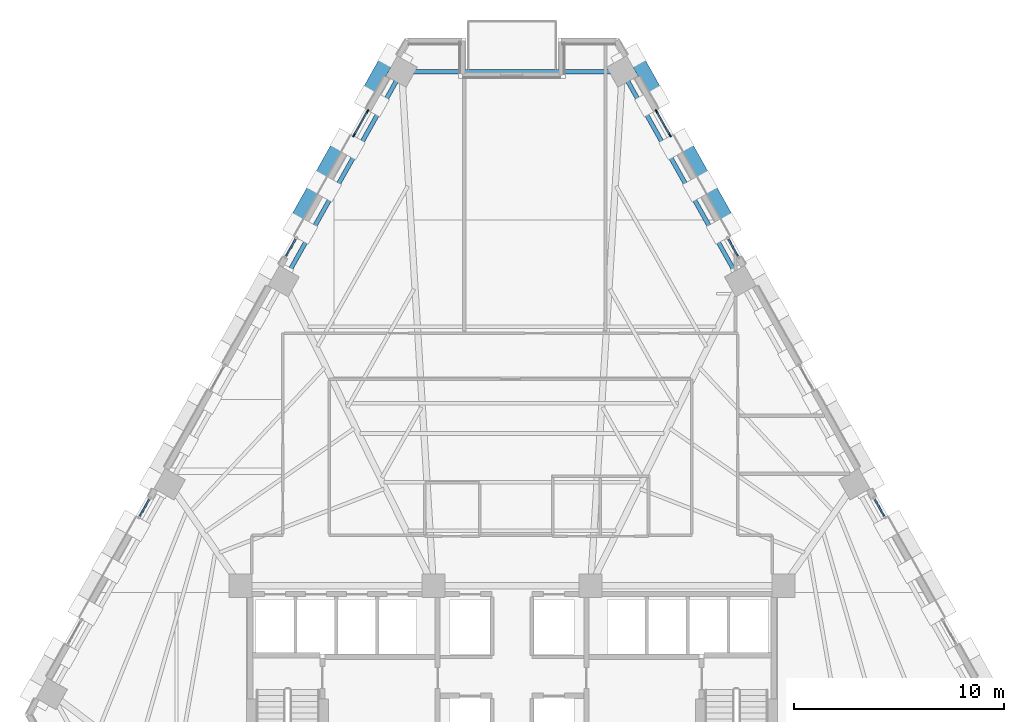
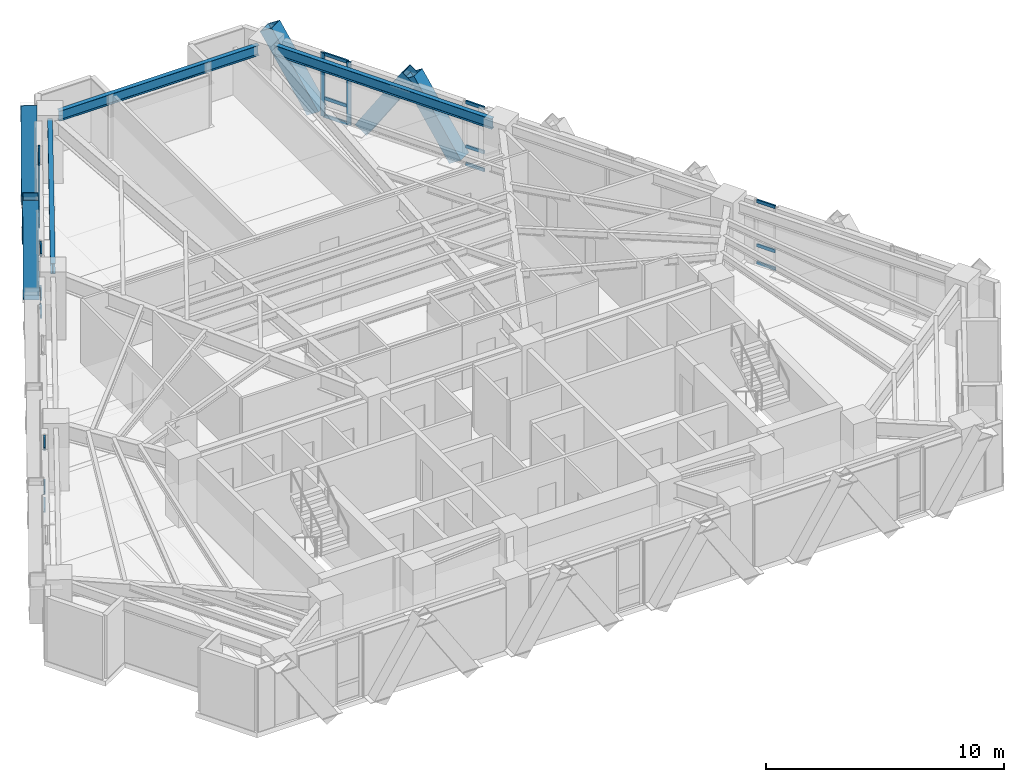
# One storey, part 5 of 13: 28 members, 3 beams, 6 elements without a shape of their own.
"""IFC4 building model written with IfcOpenShell, lengths in metres."""

from ifc_helpers import new_model, si_unit, direction, frame, origin, origin_2d, place, context, subcontext, project, spatial, rectangle, hollow_rectangle, i_section, extrude, material, material_profile, profile_set, type_object, element, aggregate, save


model = new_model("IFC4")

# Units and contexts
model_context = context("Model", 3, precision=1e-05, world=origin(), true_north=direction((0.0, 1.0)))
body_context = subcontext(model_context, "Body", "Model", "MODEL_VIEW")
ifc_project = project(units=[si_unit("LENGTHUNIT", "METRE"), si_unit("AREAUNIT", "SQUARE_METRE"), si_unit("VOLUMEUNIT", "CUBIC_METRE"), si_unit("PLANEANGLEUNIT", "RADIAN"), si_unit("MASSUNIT", "GRAM", prefix="KILO")], contexts=[model_context])

# Site, building, storey
site_placement = place(None, origin())
site = spatial("IfcSite", under=ifc_project, at=site_placement, CompositionType="ELEMENT")
building_placement = place(site_placement, origin())
building = spatial("IfcBuilding", under=site, at=building_placement, Name="Quenlor Broadcast Tower", CompositionType="ELEMENT")
storey_placement = place(building_placement, frame((0.0, 0.0, 95.0)))
storey = spatial("IfcBuildingStorey", under=building, at=storey_placement, Name="L25", CompositionType="ELEMENT", Elevation=95.0)

# Curtain wall, members
ifc_material_1 = material(Name="Architectural Terracotta and Low-E Glazing", Category="masonry")
curtain_wall_type = type_object("IfcCurtainWallType", Name="Unitised Terracotta Curtain Wall System Z2", PredefinedType="NOTDEFINED", material=ifc_material_1)
curtain_wall_1_placement = place(storey_placement, origin())
curtain_wall_1 = element("IfcCurtainWall", 1, at=curtain_wall_1_placement, inside=storey, type_object=curtain_wall_type, Name="L25 Curtain Wall CW2 (L25-NEA-G1)", PredefinedType="NOTDEFINED")
ifc_material_2 = material(Name="Aluminium 6063-T6", Category="aluminium")
ifc_material_profile_1 = material_profile(ifc_material_2, rectangle(XDim=0.074951171875, YDim=0.199951171875, at=origin_2d()))
ifc_profile_set_1 = profile_set([ifc_material_profile_1], Name="Aluminium 6063-T6 MULL75x200")
member_type_1 = type_object("IfcMemberType", Name="CW2 Aluminium Mullion MULL_CW2", PredefinedType="MULLION", material=ifc_profile_set_1)
member_1_placement = place(storey_placement, frame((6.893310546875, 17.81884765625, 0.0), z_axis=(0.0, 0.0, 1.0), x_axis=(0.871583366376, 0.490247320704, 0.0)))
member_1 = element("IfcMember", 2, at=member_1_placement, type_object=member_type_1, Name="CW2 mullion 1", PredefinedType="MULLION", context=body_context, shape_type="SweptSolid", body=[
    extrude(rectangle(XDim=0.074951171875, YDim=0.199951171875, at=origin_2d()), origin(), (0.0, 0.0, 1.0), 3.25),
])
member_2_placement = place(storey_placement, frame((7.525390625, 16.695068359375, 0.0), z_axis=(0.0, 0.0, 1.0), x_axis=(0.871583366376, 0.490247320704, 0.0)))
member_2 = element("IfcMember", 3, at=member_2_placement, type_object=member_type_1, Name="CW2 mullion 2", PredefinedType="MULLION", context=body_context, shape_type="SweptSolid", body=[
    extrude(rectangle(XDim=0.074951171875, YDim=0.199951171875, at=origin_2d()), origin(), (0.0, 0.0, 1.0), 3.25),
])

curtain_wall_2_placement = place(storey_placement, origin())
curtain_wall_2 = element("IfcCurtainWall", 4, at=curtain_wall_2_placement, inside=storey, type_object=curtain_wall_type, Name="L25 Curtain Wall CW2 (L25-NWC-G2)", PredefinedType="NOTDEFINED")
member_3_placement = place(storey_placement, frame((-7.525390625, 16.695068359375, 0.0), z_axis=(0.0, 0.0, 1.0), x_axis=(-0.871583366376, 0.490247320704, 0.0)))
member_3 = element("IfcMember", 5, at=member_3_placement, type_object=member_type_1, Name="CW2 mullion 1", PredefinedType="MULLION", context=body_context, shape_type="SweptSolid", body=[
    extrude(rectangle(XDim=0.074951171875, YDim=0.199951171875, at=origin_2d()), origin(), (0.0, 0.0, 1.0), 3.25),
])
member_4_placement = place(storey_placement, frame((-6.893310546875, 17.81884765625, 0.0), z_axis=(0.0, 0.0, 1.0), x_axis=(-0.871583366376, 0.490247320704, 0.0)))
member_4 = element("IfcMember", 6, at=member_4_placement, type_object=member_type_1, Name="CW2 mullion 2", PredefinedType="MULLION", context=body_context, shape_type="SweptSolid", body=[
    extrude(rectangle(XDim=0.074951171875, YDim=0.199951171875, at=origin_2d()), origin(), (0.0, 0.0, 1.0), 3.25),
])

# Member
ifc_material_3 = material(Name="Aluminium 6063-T6", Category="aluminium")
ifc_material_profile_2 = material_profile(ifc_material_3, rectangle(XDim=0.074951171875, YDim=0.1650390625, at=origin_2d()))
ifc_profile_set_2 = profile_set([ifc_material_profile_2], Name="Aluminium 6063-T6 TRAN75x165")
member_type_2 = type_object("IfcMemberType", Name="CW2 Aluminium Transom TRAN_CW2", PredefinedType="USERDEFINED", material=ifc_profile_set_2)
member_5_placement = place(storey_placement, frame((6.91162109375, 17.7861328125, 0.03759765625), z_axis=(0.490347143438, -0.871527210661, 0.0), x_axis=(0.871527210661, 0.490347143438, 0.0)))
member_5 = element("IfcMember", 7, at=member_5_placement, type_object=member_type_2, Name="CW2 transom 1.1", ObjectType="TRANSOM", PredefinedType="USERDEFINED", context=body_context, shape_type="SweptSolid", body=[
    extrude(rectangle(XDim=0.074951171875, YDim=0.1650390625, at=origin_2d()), origin(), (0.0, 0.0, 1.0), 1.21435546875),
])

member_6_placement = place(storey_placement, frame((6.91162109375, 17.7861328125, 0.949951171875), z_axis=(0.490347143438, -0.871527210661, 0.0), x_axis=(0.871527210661, 0.490347143438, 0.0)))
member_6 = element("IfcMember", 8, at=member_6_placement, type_object=member_type_2, Name="CW2 transom 1.2", ObjectType="TRANSOM", PredefinedType="USERDEFINED", context=body_context, shape_type="SweptSolid", body=[
    extrude(rectangle(XDim=0.074951171875, YDim=0.1650390625, at=origin_2d()), origin(), (0.0, 0.0, 1.0), 1.21435546875),
])

member_7_placement = place(storey_placement, frame((6.91162109375, 17.7861328125, 3.21240234375), z_axis=(0.490347143438, -0.871527210661, 0.0), x_axis=(0.871527210661, 0.490347143438, 0.0)))
member_7 = element("IfcMember", 9, at=member_7_placement, type_object=member_type_2, Name="CW2 transom 1.3", ObjectType="TRANSOM", PredefinedType="USERDEFINED", context=body_context, shape_type="SweptSolid", body=[
    extrude(rectangle(XDim=0.074951171875, YDim=0.1650390625, at=origin_2d()), origin(), (0.0, 0.0, 1.0), 1.21435546875),
])

aggregate(curtain_wall_1, [member_1, member_2, member_5, member_6, member_7])

# Curtain wall, members
curtain_wall_3_placement = place(storey_placement, origin())
curtain_wall_3 = element("IfcCurtainWall", 10, at=curtain_wall_3_placement, inside=storey, type_object=curtain_wall_type, Name="L25 Curtain Wall CW2 (L25-NEA-G2)", PredefinedType="NOTDEFINED")
member_8_placement = place(storey_placement, frame((10.32470703125, 11.718505859375, 0.03759765625), z_axis=(0.490363403455, -0.871518062092, 0.0), x_axis=(0.871518062092, 0.490363403455, 0.0)))
member_8 = element("IfcMember", 11, at=member_8_placement, type_object=member_type_2, Name="CW2 transom 1.1", ObjectType="TRANSOM", PredefinedType="USERDEFINED", context=body_context, shape_type="SweptSolid", body=[
    extrude(rectangle(XDim=0.074951171875, YDim=0.1650390625, at=origin_2d()), origin(), (0.0, 0.0, 1.0), 0.90771484375),
])
member_9_placement = place(storey_placement, frame((10.32470703125, 11.718505859375, 0.949951171875), z_axis=(0.490363403455, -0.871518062092, 0.0), x_axis=(0.871518062092, 0.490363403455, 0.0)))
member_9 = element("IfcMember", 12, at=member_9_placement, type_object=member_type_2, Name="CW2 transom 1.2", ObjectType="TRANSOM", PredefinedType="USERDEFINED", context=body_context, shape_type="SweptSolid", body=[
    extrude(rectangle(XDim=0.074951171875, YDim=0.1650390625, at=origin_2d()), origin(), (0.0, 0.0, 1.0), 0.90771484375),
])
member_10_placement = place(storey_placement, frame((10.32470703125, 11.718505859375, 3.21240234375), z_axis=(0.490363403455, -0.871518062092, 0.0), x_axis=(0.871518062092, 0.490363403455, 0.0)))
member_10 = element("IfcMember", 13, at=member_10_placement, type_object=member_type_2, Name="CW2 transom 1.3", ObjectType="TRANSOM", PredefinedType="USERDEFINED", context=body_context, shape_type="SweptSolid", body=[
    extrude(rectangle(XDim=0.074951171875, YDim=0.1650390625, at=origin_2d()), origin(), (0.0, 0.0, 1.0), 0.90771484375),
])
aggregate(curtain_wall_3, [member_8, member_9, member_10])

curtain_wall_4_placement = place(storey_placement, origin())
curtain_wall_4 = element("IfcCurtainWall", 14, at=curtain_wall_4_placement, inside=storey, type_object=curtain_wall_type, Name="L25 Curtain Wall CW2 (L25-NEC-G1)", PredefinedType="NOTDEFINED")
member_11_placement = place(storey_placement, frame((17.30126953125, -0.684326171875, 0.03759765625), z_axis=(0.490363403455, -0.871518062092, 0.0), x_axis=(0.871518062092, 0.490363403455, 0.0)))
member_11 = element("IfcMember", 15, at=member_11_placement, type_object=member_type_2, Name="CW2 transom 1.1", ObjectType="TRANSOM", PredefinedType="USERDEFINED", context=body_context, shape_type="SweptSolid", body=[
    extrude(rectangle(XDim=0.074951171875, YDim=0.1650390625, at=origin_2d()), origin(), (0.0, 0.0, 1.0), 0.90771484375),
])
member_12_placement = place(storey_placement, frame((17.30126953125, -0.684326171875, 0.949951171875), z_axis=(0.490363403455, -0.871518062092, 0.0), x_axis=(0.871518062092, 0.490363403455, 0.0)))
member_12 = element("IfcMember", 16, at=member_12_placement, type_object=member_type_2, Name="CW2 transom 1.2", ObjectType="TRANSOM", PredefinedType="USERDEFINED", context=body_context, shape_type="SweptSolid", body=[
    extrude(rectangle(XDim=0.074951171875, YDim=0.1650390625, at=origin_2d()), origin(), (0.0, 0.0, 1.0), 0.90771484375),
])
member_13_placement = place(storey_placement, frame((17.30126953125, -0.684326171875, 3.21240234375), z_axis=(0.490363403455, -0.871518062092, 0.0), x_axis=(0.871518062092, 0.490363403455, 0.0)))
member_13 = element("IfcMember", 17, at=member_13_placement, type_object=member_type_2, Name="CW2 transom 1.3", ObjectType="TRANSOM", PredefinedType="USERDEFINED", context=body_context, shape_type="SweptSolid", body=[
    extrude(rectangle(XDim=0.074951171875, YDim=0.1650390625, at=origin_2d()), origin(), (0.0, 0.0, 1.0), 0.90771484375),
])
aggregate(curtain_wall_4, [member_11, member_12, member_13])

curtain_wall_5_placement = place(storey_placement, origin())
curtain_wall_5 = element("IfcCurtainWall", 18, at=curtain_wall_5_placement, inside=storey, type_object=curtain_wall_type, Name="L25 Curtain Wall CW2 (L25-NWA-G2)", PredefinedType="NOTDEFINED")
member_14_placement = place(storey_placement, frame((-17.746337890625, -1.475341796875, 0.03759765625), z_axis=(0.490363403455, 0.871518062092, 0.0), x_axis=(-0.871518062092, 0.490363403455, 0.0)))
member_14 = element("IfcMember", 19, at=member_14_placement, type_object=member_type_2, Name="CW2 transom 1.1", ObjectType="TRANSOM", PredefinedType="USERDEFINED", context=body_context, shape_type="SweptSolid", body=[
    extrude(rectangle(XDim=0.074951171875, YDim=0.1650390625, at=origin_2d()), origin(), (0.0, 0.0, 1.0), 0.90771484375),
])
member_15_placement = place(storey_placement, frame((-17.746337890625, -1.475341796875, 0.949951171875), z_axis=(0.490363403455, 0.871518062092, 0.0), x_axis=(-0.871518062092, 0.490363403455, 0.0)))
member_15 = element("IfcMember", 20, at=member_15_placement, type_object=member_type_2, Name="CW2 transom 1.2", ObjectType="TRANSOM", PredefinedType="USERDEFINED", context=body_context, shape_type="SweptSolid", body=[
    extrude(rectangle(XDim=0.074951171875, YDim=0.1650390625, at=origin_2d()), origin(), (0.0, 0.0, 1.0), 0.90771484375),
])
member_16_placement = place(storey_placement, frame((-17.746337890625, -1.475341796875, 3.21240234375), z_axis=(0.490363403455, 0.871518062092, 0.0), x_axis=(-0.871518062092, 0.490363403455, 0.0)))
member_16 = element("IfcMember", 21, at=member_16_placement, type_object=member_type_2, Name="CW2 transom 1.3", ObjectType="TRANSOM", PredefinedType="USERDEFINED", context=body_context, shape_type="SweptSolid", body=[
    extrude(rectangle(XDim=0.074951171875, YDim=0.1650390625, at=origin_2d()), origin(), (0.0, 0.0, 1.0), 0.90771484375),
])
aggregate(curtain_wall_5, [member_14, member_15, member_16])

curtain_wall_6_placement = place(storey_placement, origin())
curtain_wall_6 = element("IfcCurtainWall", 22, at=curtain_wall_6_placement, inside=storey, type_object=curtain_wall_type, Name="L25 Curtain Wall CW2 (L25-NWC-G1)", PredefinedType="NOTDEFINED")
member_17_placement = place(storey_placement, frame((-10.769775390625, 10.927490234375, 0.03759765625), z_axis=(0.490363403455, 0.871518062092, 0.0), x_axis=(-0.871518062092, 0.490363403455, 0.0)))
member_17 = element("IfcMember", 23, at=member_17_placement, type_object=member_type_2, Name="CW2 transom 1.1", ObjectType="TRANSOM", PredefinedType="USERDEFINED", context=body_context, shape_type="SweptSolid", body=[
    extrude(rectangle(XDim=0.074951171875, YDim=0.1650390625, at=origin_2d()), origin(), (0.0, 0.0, 1.0), 0.90771484375),
])
member_18_placement = place(storey_placement, frame((-10.769775390625, 10.927490234375, 0.949951171875), z_axis=(0.490363403455, 0.871518062092, 0.0), x_axis=(-0.871518062092, 0.490363403455, 0.0)))
member_18 = element("IfcMember", 24, at=member_18_placement, type_object=member_type_2, Name="CW2 transom 1.2", ObjectType="TRANSOM", PredefinedType="USERDEFINED", context=body_context, shape_type="SweptSolid", body=[
    extrude(rectangle(XDim=0.074951171875, YDim=0.1650390625, at=origin_2d()), origin(), (0.0, 0.0, 1.0), 0.90771484375),
])
member_19_placement = place(storey_placement, frame((-10.769775390625, 10.927490234375, 3.21240234375), z_axis=(0.490363403455, 0.871518062092, 0.0), x_axis=(-0.871518062092, 0.490363403455, 0.0)))
member_19 = element("IfcMember", 25, at=member_19_placement, type_object=member_type_2, Name="CW2 transom 1.3", ObjectType="TRANSOM", PredefinedType="USERDEFINED", context=body_context, shape_type="SweptSolid", body=[
    extrude(rectangle(XDim=0.074951171875, YDim=0.1650390625, at=origin_2d()), origin(), (0.0, 0.0, 1.0), 0.90771484375),
])
aggregate(curtain_wall_6, [member_17, member_18, member_19])

# Member
member_20_placement = place(storey_placement, frame((-7.507080078125, 16.727783203125, 0.03759765625), z_axis=(0.490347143438, 0.871527210661, 0.0), x_axis=(-0.871527210661, 0.490347143438, 0.0)))
member_20 = element("IfcMember", 26, at=member_20_placement, type_object=member_type_2, Name="CW2 transom 1.1", ObjectType="TRANSOM", PredefinedType="USERDEFINED", context=body_context, shape_type="SweptSolid", body=[
    extrude(rectangle(XDim=0.074951171875, YDim=0.1650390625, at=origin_2d()), origin(), (0.0, 0.0, 1.0), 1.21435546875),
])

member_21_placement = place(storey_placement, frame((-7.507080078125, 16.727783203125, 0.949951171875), z_axis=(0.490347143438, 0.871527210661, 0.0), x_axis=(-0.871527210661, 0.490347143438, 0.0)))
member_21 = element("IfcMember", 27, at=member_21_placement, type_object=member_type_2, Name="CW2 transom 1.2", ObjectType="TRANSOM", PredefinedType="USERDEFINED", context=body_context, shape_type="SweptSolid", body=[
    extrude(rectangle(XDim=0.074951171875, YDim=0.1650390625, at=origin_2d()), origin(), (0.0, 0.0, 1.0), 1.21435546875),
])

member_22_placement = place(storey_placement, frame((-7.507080078125, 16.727783203125, 3.21240234375), z_axis=(0.490347143438, 0.871527210661, 0.0), x_axis=(-0.871527210661, 0.490347143438, 0.0)))
member_22 = element("IfcMember", 28, at=member_22_placement, type_object=member_type_2, Name="CW2 transom 1.3", ObjectType="TRANSOM", PredefinedType="USERDEFINED", context=body_context, shape_type="SweptSolid", body=[
    extrude(rectangle(XDim=0.074951171875, YDim=0.1650390625, at=origin_2d()), origin(), (0.0, 0.0, 1.0), 1.21435546875),
])

aggregate(curtain_wall_2, [member_3, member_4, member_20, member_21, member_22])

# Members
ifc_material_4 = material(Name="Steel S355", Category="steel")
ifc_material_profile_3 = material_profile(ifc_material_4, hollow_rectangle(XDim=0.679931640625, YDim=0.679931640625, WallThickness=0.030029296875, at=origin_2d()))
ifc_profile_set_3 = profile_set([ifc_material_profile_3], Name="Steel S355 RHS680x680x30")
member_type_3 = type_object("IfcMemberType", Name="Perimeter Diagonal Lattice Brace Z2 Steel S355 RHS680x30", PredefinedType="BRACE", material=ifc_profile_set_3)
for number, where, z_axis, x_axis, name in (
    (29, (8.12939453125, 16.42724609375, -0.1201171875), (0.268642373731, -0.477592925498, 0.83650240439), (0.871578380919, 0.490256183964, 0.0), "L25 Perimeter Diamond Lattice NE-C1S"),
    (30, (6.977783203125, 18.47412109375, -0.1201171875), (-0.26858823371, 0.477600411236, 0.836515515636), (-0.871623880158, -0.490175286544, 0.0), "L25 Perimeter Diamond Lattice NE-C1B"),
    (31, (10.39111328125, 12.406494140625, -0.1201171875), (-0.268642373731, 0.477592925498, 0.83650240439), (-0.871578380919, -0.490256183964, 0.0), "L25 Perimeter Diamond Lattice NE-C2B"),
    (32, (-10.39111328125, 12.406494140625, -0.1201171875), (0.268642373731, 0.477592925498, 0.83650240439), (-0.871578380919, 0.490256183964, 0.0), "L25 Perimeter Diamond Lattice NW-C4S"),
    (33, (-6.977783203125, 18.47412109375, -0.1201171875), (0.26858823371, 0.477600411236, 0.836515515636), (-0.871623880158, 0.490175286544, 0.0), "L25 Perimeter Diamond Lattice NW-C5S"),
    (34, (-8.12939453125, 16.42724609375, -0.1201171875), (-0.268642373731, -0.477592925498, 0.83650240439), (0.871578380919, -0.490256183964, 0.0), "L25 Perimeter Diamond Lattice NW-C5B"),
):
    element("IfcMember", number, at=place(storey_placement, frame(where, z_axis=z_axis, x_axis=x_axis)), inside=storey, type_object=member_type_3, Name=name, PredefinedType="BRACE", context=body_context, shape_type="SweptSolid", body=[
        extrude(hollow_rectangle(XDim=0.679931640625, YDim=0.679931640625, WallThickness=0.030029296875, at=origin_2d()), origin(), (0.0, 0.0, 1.0), 4.18408203125),
    ])

# Beams
ifc_material_5 = material(Name="Steel S355", Category="steel")
ifc_material_profile_4 = material_profile(ifc_material_5, i_section(OverallWidth=0.208984375, OverallDepth=0.5283203125, WebThickness=0.009521484375, FlangeThickness=0.01318359375, FilletRadius=0.013916015625, at=origin_2d()))
ifc_profile_set_4 = profile_set([ifc_material_profile_4], Name="Steel S355 530UB82.0")
beam_type = type_object("IfcBeamType", Name="Perimeter Spandrel Beam Z2 Steel S355 530UB82.0", PredefinedType="SPANDREL", material=ifc_profile_set_4)
beam_1_placement = place(storey_placement, frame((10.685791015625, 10.076904296875, 2.98583984375), z_axis=(-0.490236213386, 0.871589613916, 0.0), x_axis=(-0.871589613916, -0.490236213386, 0.0)))
element("IfcBeam", 35, at=beam_1_placement, inside=storey, type_object=beam_type, Name="L25 Spandrel Beam NE3-NE4", PredefinedType="SPANDREL", context=body_context, shape_type="SweptSolid", body=[
    extrude(i_section(OverallWidth=0.208984375, OverallDepth=0.5283203125, WebThickness=0.009521484375, FlangeThickness=0.01318359375, FilletRadius=0.013916015625, at=origin_2d()), origin(), (0.0, 0.0, 1.0), 10.65283203125),
])
beam_2_placement = place(storey_placement, frame((4.852294921875, 19.718994140625, 2.98583984375), z_axis=(-1.0, 0.0, 0.0), x_axis=(0.0, -1.0, 0.0)))
element("IfcBeam", 36, at=beam_2_placement, inside=storey, type_object=beam_type, Name="L25 Spandrel Beam NE4-NW1", PredefinedType="SPANDREL", context=body_context, shape_type="SweptSolid", body=[
    extrude(i_section(OverallWidth=0.208984375, OverallDepth=0.5283203125, WebThickness=0.009521484375, FlangeThickness=0.01318359375, FilletRadius=0.013916015625, at=origin_2d()), origin(), (0.0, 0.0, 1.0), 9.70458984375),
])
beam_3_placement = place(storey_placement, frame((-5.46337890625, 19.36181640625, 2.98583984375), z_axis=(-0.490236213386, -0.871589613916, 0.0), x_axis=(0.871589613916, -0.490236213386, 0.0)))
element("IfcBeam", 37, at=beam_3_placement, inside=storey, type_object=beam_type, Name="L25 Spandrel Beam NW1-NW2", PredefinedType="SPANDREL", context=body_context, shape_type="SweptSolid", body=[
    extrude(i_section(OverallWidth=0.208984375, OverallDepth=0.5283203125, WebThickness=0.009521484375, FlangeThickness=0.01318359375, FilletRadius=0.013916015625, at=origin_2d()), origin(), (0.0, 0.0, 1.0), 10.65283203125),
])

save(model, "model.ifc")
